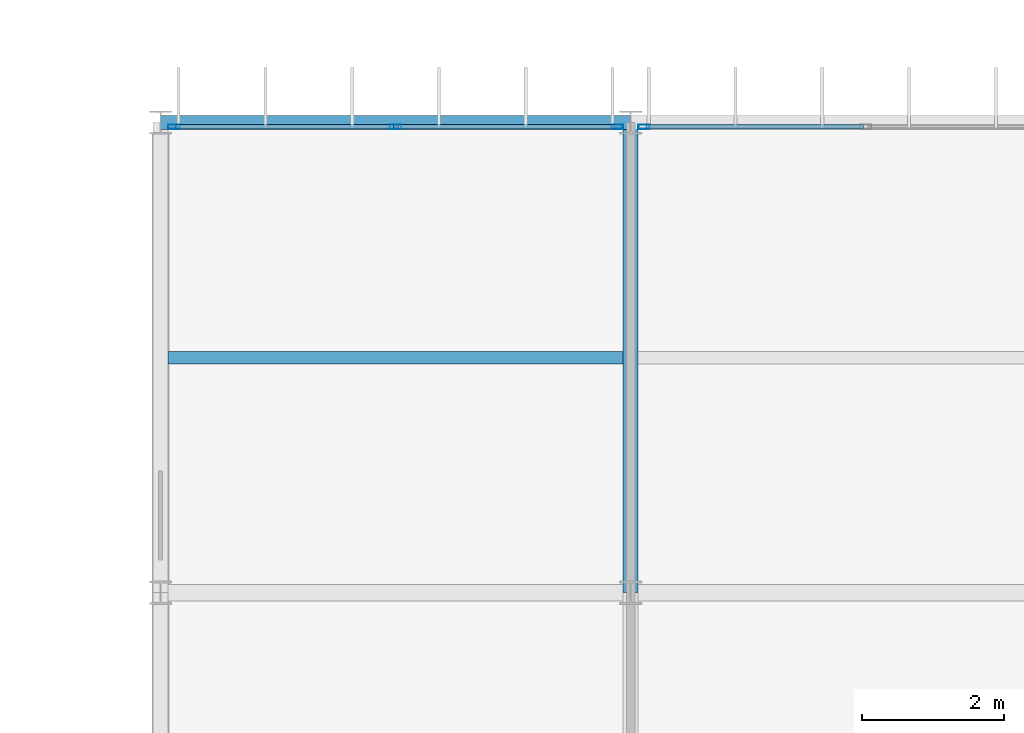
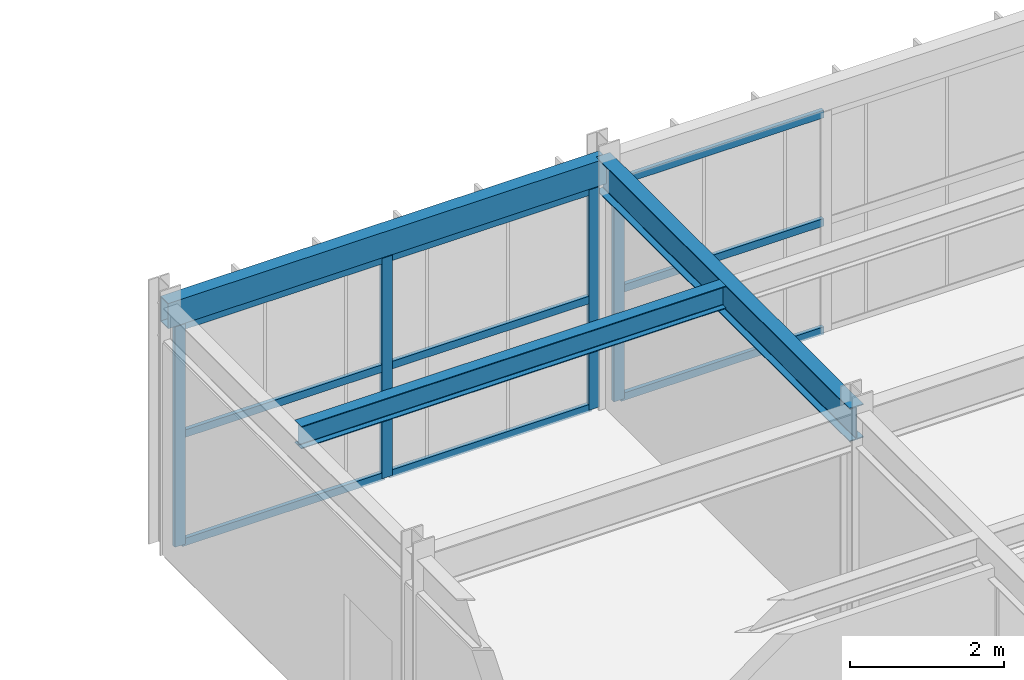
# One storey, part 51 of 130: 13 members, 3 beams, 2 elements without a shape of their own.
"""IFC4 building model written with IfcOpenShell, lengths in metres."""

from ifc_helpers import new_model, si_unit, direction, frame, origin, origin_2d, place, context, subcontext, project, spatial, hollow_rectangle, i_section, extrude, material, material_profile, profile_set, type_object, element, aggregate, save


model = new_model("IFC4")

# Units and contexts
model_context = context("Model", 3, precision=1e-05, world=origin(), true_north=direction((0.0, 1.0)))
body_context = subcontext(model_context, "Body", "Model", "MODEL_VIEW")
ifc_project = project(units=[si_unit("LENGTHUNIT", "METRE"), si_unit("AREAUNIT", "SQUARE_METRE"), si_unit("VOLUMEUNIT", "CUBIC_METRE"), si_unit("PLANEANGLEUNIT", "RADIAN"), si_unit("MASSUNIT", "GRAM", prefix="KILO")], contexts=[model_context])

# Site, building, storey
site_placement = place(None, origin())
site = spatial("IfcSite", under=ifc_project, at=site_placement, CompositionType="ELEMENT")
building_placement = place(site_placement, origin())
building = spatial("IfcBuilding", under=site, at=building_placement, Name="Karori Crest Natural Sciences Institute", CompositionType="ELEMENT")
storey_placement = place(building_placement, frame((0.0, 0.0, 17.5)))
storey = spatial("IfcBuildingStorey", under=building, at=storey_placement, Name="L04", CompositionType="ELEMENT", Elevation=17.5)

# Beams
ifc_material_1 = material(Name="Structural steel AS/NZS 3679.1 Grade 350", Category="steel")
ifc_material_profile_1 = material_profile(ifc_material_1, i_section(OverallWidth=0.208984375, OverallDepth=0.532958984375, WebThickness=0.01025390625, FlangeThickness=0.015625, FilletRadius=0.013916015625, at=origin_2d()), Name="530UB92.4")
ifc_profile_set_1 = profile_set([ifc_material_profile_1], Name="Structural steel AS/NZS 3679.1 Grade 350")
beam_type_1 = type_object("IfcBeamType", Name="BT-05", PredefinedType="BEAM", material=ifc_profile_set_1)
beam_1_placement = place(storey_placement, frame((110.199951171875, 14.0, 3.653564453125), z_axis=(0.0, 1.0, 0.0), x_axis=(-1.0, 0.0, 0.0)))
element("IfcBeam", 1, at=beam_1_placement, inside=storey, type_object=beam_type_1, Name="Beam B-2406", PredefinedType="BEAM", context=body_context, shape_type="SweptSolid", body=[
    extrude(i_section(OverallWidth=0.208984375, OverallDepth=0.532958984375, WebThickness=0.01025390625, FlangeThickness=0.015625, FilletRadius=0.013916015625, at=origin_2d()), origin(), (0.0, 0.0, 1.0), 6.60009765625),
])
ifc_material_profile_2 = material_profile(ifc_material_1, i_section(OverallWidth=0.172119140625, OverallDepth=0.35888671875, WebThickness=0.008056640625, FlangeThickness=0.012939453125, FilletRadius=0.010986328125, at=origin_2d()), Name="360UB56.7")
ifc_profile_set_2 = profile_set([ifc_material_profile_2], Name="Structural steel AS/NZS 3679.1 Grade 350")
beam_type_2 = type_object("IfcBeamType", Name="BT-08", PredefinedType="BEAM", material=ifc_profile_set_2)
beam_2_placement = place(storey_placement, frame((103.70458984375, 17.300048828125, 3.740478515625), z_axis=(1.0, 0.0, 0.0), x_axis=(0.0, 1.0, 0.0)))
element("IfcBeam", 2, at=beam_2_placement, inside=storey, type_object=beam_type_2, Name="Beam B-2432", PredefinedType="BEAM", context=body_context, shape_type="SweptSolid", body=[
    extrude(i_section(OverallWidth=0.172119140625, OverallDepth=0.35888671875, WebThickness=0.008056640625, FlangeThickness=0.012939453125, FilletRadius=0.010986328125, at=origin_2d()), origin(), (0.0, 0.0, 1.0), 6.390869140625),
])
ifc_material_2 = material(Name="Hollow structural steel AS/NZS 1163 Grade C350", Category="steel")
ifc_material_profile_3 = material_profile(ifc_material_2, hollow_rectangle(XDim=0.199951171875, YDim=0.39990234375, WallThickness=0.012451171875, at=origin_2d()), Name="RHS400x200x12.5")
ifc_profile_set_3 = profile_set([ifc_material_profile_3], Name="Hollow structural steel AS/NZS 1163 Grade C350")
beam_type_3 = type_object("IfcBeamType", Name="BT-14", PredefinedType="SPANDREL", material=ifc_profile_set_3)
beam_3_placement = place(storey_placement, frame((103.60009765625, 20.60009765625, 3.719970703125), z_axis=(1.0, 0.0, 0.0), x_axis=(0.0, 1.0, 0.0)))
element("IfcBeam", 3, at=beam_3_placement, inside=storey, type_object=beam_type_3, Name="Beam B-2392", PredefinedType="SPANDREL", context=body_context, shape_type="SweptSolid", body=[
    extrude(hollow_rectangle(XDim=0.199951171875, YDim=0.39990234375, WallThickness=0.012451171875, at=origin_2d()), origin(), (0.0, 0.0, 1.0), 6.599853515625),
])

# Curtain wall, members
ifc_material_3 = material(Name="Anodised architectural aluminium 6063-T6", Category="aluminium")
curtain_wall_type = type_object("IfcCurtainWallType", Name="CWT-20", PredefinedType="NOTDEFINED", material=ifc_material_3)
curtain_wall_1_placement = place(storey_placement, origin())
curtain_wall_1 = element("IfcCurtainWall", 4, at=curtain_wall_1_placement, inside=storey, type_object=curtain_wall_type, Name="Curtain wall CW-0331", PredefinedType="NOTDEFINED")
ifc_material_profile_4 = material_profile(ifc_material_3, hollow_rectangle(XDim=0.06494140625, YDim=0.159912109375, WallThickness=0.00390625, at=origin_2d()), Name="CWM160x65x4")
ifc_profile_set_4 = profile_set([ifc_material_profile_4], Name="Anodised architectural aluminium 6063-T6")
member_type_1 = type_object("IfcMemberType", Name="CWM-01", PredefinedType="MULLION", material=ifc_profile_set_4)
member_1_placement = place(storey_placement, frame((103.785888671875, 20.5400390625, 0.0), z_axis=(0.0, 0.0, 1.0), x_axis=(0.0, 1.0, 0.0)))
member_1 = element("IfcMember", 5, at=member_1_placement, type_object=member_type_1, Name="CW-0331 mullion 1", PredefinedType="MULLION", context=body_context, shape_type="SweptSolid", body=[
    extrude(hollow_rectangle(XDim=0.06494140625, YDim=0.159912109375, WallThickness=0.00390625, at=origin_2d()), origin(), (0.0, 0.0, 1.0), 3.5048828125),
])
member_2_placement = place(storey_placement, frame((106.89990234375, 20.5400390625, 0.0), z_axis=(0.0, 0.0, 1.0), x_axis=(0.0, 1.0, 0.0)))
member_2 = element("IfcMember", 6, at=member_2_placement, type_object=member_type_1, Name="CW-0331 mullion 2", PredefinedType="MULLION", context=body_context, shape_type="SweptSolid", body=[
    extrude(hollow_rectangle(XDim=0.06494140625, YDim=0.159912109375, WallThickness=0.00390625, at=origin_2d()), origin(), (0.0, 0.0, 1.0), 3.5048828125),
])
member_3_placement = place(storey_placement, frame((110.013916015625, 20.5400390625, 0.0), z_axis=(0.0, 0.0, 1.0), x_axis=(0.0, 1.0, 0.0)))
member_3 = element("IfcMember", 7, at=member_3_placement, type_object=member_type_1, Name="CW-0331 mullion 3", PredefinedType="MULLION", context=body_context, shape_type="SweptSolid", body=[
    extrude(hollow_rectangle(XDim=0.06494140625, YDim=0.159912109375, WallThickness=0.00390625, at=origin_2d()), origin(), (0.0, 0.0, 1.0), 3.5048828125),
])

# Curtain wall, member
curtain_wall_2_placement = place(storey_placement, origin())
curtain_wall_2 = element("IfcCurtainWall", 8, at=curtain_wall_2_placement, inside=storey, type_object=curtain_wall_type, Name="Curtain wall CW-0332", PredefinedType="NOTDEFINED")
member_4_placement = place(storey_placement, frame((110.385986328125, 20.5400390625, 0.0), z_axis=(0.0, 0.0, 1.0), x_axis=(0.0, 1.0, 0.0)))
member_4 = element("IfcMember", 9, at=member_4_placement, type_object=member_type_1, Name="CW-0332 mullion 1", PredefinedType="MULLION", context=body_context, shape_type="SweptSolid", body=[
    extrude(hollow_rectangle(XDim=0.06494140625, YDim=0.159912109375, WallThickness=0.00390625, at=origin_2d()), origin(), (0.0, 0.0, 1.0), 3.5048828125),
])

# Member
ifc_material_profile_5 = material_profile(ifc_material_3, hollow_rectangle(XDim=0.06005859375, YDim=0.1201171875, WallThickness=0.00390625, at=origin_2d()), Name="CWT120x60x4")
ifc_profile_set_5 = profile_set([ifc_material_profile_5], Name="Anodised architectural aluminium 6063-T6")
member_type_2 = type_object("IfcMemberType", Name="CWT-TR1", PredefinedType="USERDEFINED", material=ifc_profile_set_5)
member_5_placement = place(storey_placement, frame((103.818603515625, 20.5400390625, 0.030029296875), z_axis=(1.0, 0.0, 0.0), x_axis=(0.0, 1.0, 0.0)))
member_5 = element("IfcMember", 10, at=member_5_placement, type_object=member_type_2, Name="CW-0331 transom 1.1", ObjectType="TRANSOM", PredefinedType="USERDEFINED", context=body_context, shape_type="SweptSolid", body=[
    extrude(hollow_rectangle(XDim=0.06005859375, YDim=0.1201171875, WallThickness=0.00390625, at=origin_2d()), origin(), (0.0, 0.0, 1.0), 3.048828125),
])

member_6_placement = place(storey_placement, frame((103.818603515625, 20.5400390625, 1.75244140625), z_axis=(1.0, 0.0, 0.0), x_axis=(0.0, 1.0, 0.0)))
member_6 = element("IfcMember", 11, at=member_6_placement, type_object=member_type_2, Name="CW-0331 transom 1.2", ObjectType="TRANSOM", PredefinedType="USERDEFINED", context=body_context, shape_type="SweptSolid", body=[
    extrude(hollow_rectangle(XDim=0.06005859375, YDim=0.1201171875, WallThickness=0.00390625, at=origin_2d()), origin(), (0.0, 0.0, 1.0), 3.048828125),
])

member_7_placement = place(storey_placement, frame((103.818603515625, 20.5400390625, 3.47509765625), z_axis=(1.0, 0.0, 0.0), x_axis=(0.0, 1.0, 0.0)))
member_7 = element("IfcMember", 12, at=member_7_placement, type_object=member_type_2, Name="CW-0331 transom 1.3", ObjectType="TRANSOM", PredefinedType="USERDEFINED", context=body_context, shape_type="SweptSolid", body=[
    extrude(hollow_rectangle(XDim=0.06005859375, YDim=0.1201171875, WallThickness=0.00390625, at=origin_2d()), origin(), (0.0, 0.0, 1.0), 3.048828125),
])

member_8_placement = place(storey_placement, frame((106.9326171875, 20.5400390625, 0.030029296875), z_axis=(1.0, 0.0, 0.0), x_axis=(0.0, 1.0, 0.0)))
member_8 = element("IfcMember", 13, at=member_8_placement, type_object=member_type_2, Name="CW-0331 transom 2.1", ObjectType="TRANSOM", PredefinedType="USERDEFINED", context=body_context, shape_type="SweptSolid", body=[
    extrude(hollow_rectangle(XDim=0.06005859375, YDim=0.1201171875, WallThickness=0.00390625, at=origin_2d()), origin(), (0.0, 0.0, 1.0), 3.048828125),
])

member_9_placement = place(storey_placement, frame((106.9326171875, 20.5400390625, 1.75244140625), z_axis=(1.0, 0.0, 0.0), x_axis=(0.0, 1.0, 0.0)))
member_9 = element("IfcMember", 14, at=member_9_placement, type_object=member_type_2, Name="CW-0331 transom 2.2", ObjectType="TRANSOM", PredefinedType="USERDEFINED", context=body_context, shape_type="SweptSolid", body=[
    extrude(hollow_rectangle(XDim=0.06005859375, YDim=0.1201171875, WallThickness=0.00390625, at=origin_2d()), origin(), (0.0, 0.0, 1.0), 3.048828125),
])

member_10_placement = place(storey_placement, frame((106.9326171875, 20.5400390625, 3.47509765625), z_axis=(1.0, 0.0, 0.0), x_axis=(0.0, 1.0, 0.0)))
member_10 = element("IfcMember", 15, at=member_10_placement, type_object=member_type_2, Name="CW-0331 transom 2.3", ObjectType="TRANSOM", PredefinedType="USERDEFINED", context=body_context, shape_type="SweptSolid", body=[
    extrude(hollow_rectangle(XDim=0.06005859375, YDim=0.1201171875, WallThickness=0.00390625, at=origin_2d()), origin(), (0.0, 0.0, 1.0), 3.048828125),
])

aggregate(curtain_wall_1, [member_1, member_2, member_3, member_5, member_6, member_7, member_8, member_9, member_10])

member_11_placement = place(storey_placement, frame((110.41845703125, 20.5400390625, 0.030029296875), z_axis=(1.0, 0.0, 0.0), x_axis=(0.0, 1.0, 0.0)))
member_11 = element("IfcMember", 16, at=member_11_placement, type_object=member_type_2, Name="CW-0332 transom 1.1", ObjectType="TRANSOM", PredefinedType="USERDEFINED", context=body_context, shape_type="SweptSolid", body=[
    extrude(hollow_rectangle(XDim=0.06005859375, YDim=0.1201171875, WallThickness=0.00390625, at=origin_2d()), origin(), (0.0, 0.0, 1.0), 3.049072265625),
])

member_12_placement = place(storey_placement, frame((110.41845703125, 20.5400390625, 1.75244140625), z_axis=(1.0, 0.0, 0.0), x_axis=(0.0, 1.0, 0.0)))
member_12 = element("IfcMember", 17, at=member_12_placement, type_object=member_type_2, Name="CW-0332 transom 1.2", ObjectType="TRANSOM", PredefinedType="USERDEFINED", context=body_context, shape_type="SweptSolid", body=[
    extrude(hollow_rectangle(XDim=0.06005859375, YDim=0.1201171875, WallThickness=0.00390625, at=origin_2d()), origin(), (0.0, 0.0, 1.0), 3.049072265625),
])

member_13_placement = place(storey_placement, frame((110.41845703125, 20.5400390625, 3.47509765625), z_axis=(1.0, 0.0, 0.0), x_axis=(0.0, 1.0, 0.0)))
member_13 = element("IfcMember", 18, at=member_13_placement, type_object=member_type_2, Name="CW-0332 transom 1.3", ObjectType="TRANSOM", PredefinedType="USERDEFINED", context=body_context, shape_type="SweptSolid", body=[
    extrude(hollow_rectangle(XDim=0.06005859375, YDim=0.1201171875, WallThickness=0.00390625, at=origin_2d()), origin(), (0.0, 0.0, 1.0), 3.049072265625),
])

aggregate(curtain_wall_2, [member_4, member_11, member_12, member_13])

save(model, "model.ifc")
